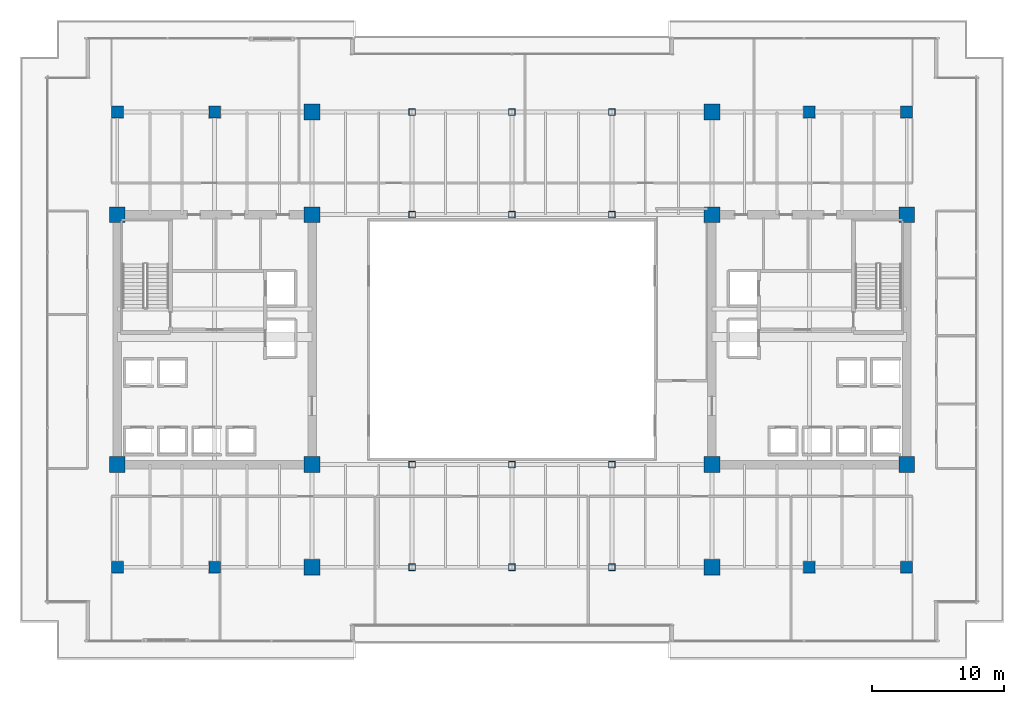
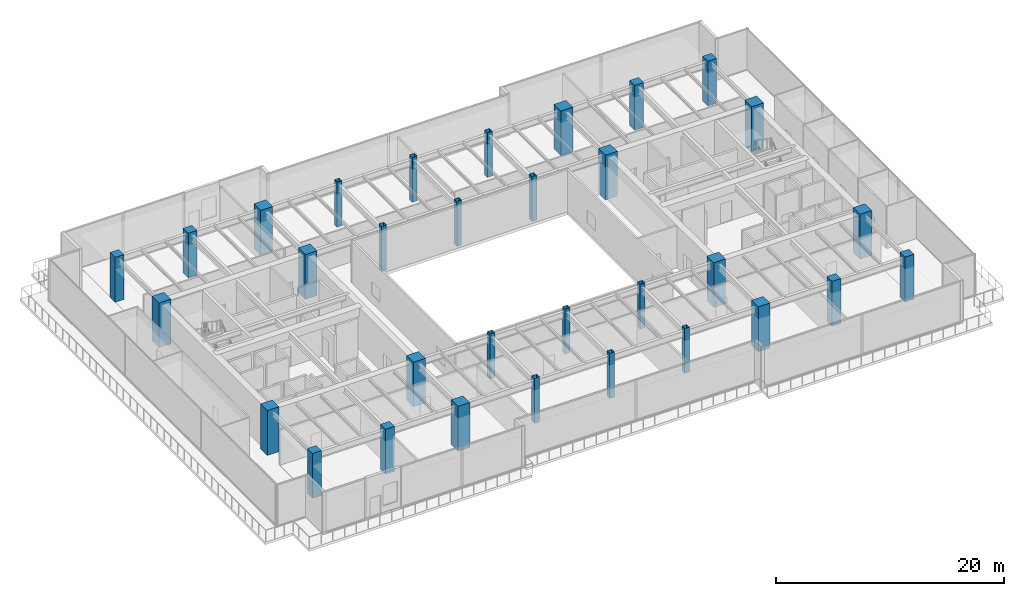
# One storey, part 1 of 33: 32 columns.
"""IFC4 building model written with IfcOpenShell, lengths in metres."""

from ifc_helpers import new_model, si_unit, direction, frame, origin, origin_2d, place, context, subcontext, project, spatial, rectangle, hollow_rectangle, extrude, source, transform, mapped, material, material_profile, profile_set, type_object, type_shapes, element, save


model = new_model("IFC4")

# Units and contexts
model_context = context("Model", 3, precision=1e-05, world=origin(), true_north=direction((0.0, 1.0)))
body_context = subcontext(model_context, "Body", "Model", "MODEL_VIEW")
ifc_project = project(units=[si_unit("LENGTHUNIT", "METRE"), si_unit("AREAUNIT", "SQUARE_METRE"), si_unit("VOLUMEUNIT", "CUBIC_METRE"), si_unit("PLANEANGLEUNIT", "RADIAN"), si_unit("MASSUNIT", "GRAM", prefix="KILO")], contexts=[model_context])

# Site, building, storey
site_placement = place(None, origin())
site = spatial("IfcSite", under=ifc_project, at=site_placement, CompositionType="ELEMENT")
building_placement = place(site_placement, origin())
building = spatial("IfcBuilding", under=site, at=building_placement, Name="Haelvirn Gate Laboratories", CompositionType="ELEMENT")
storey_placement = place(building_placement, frame((0.0, 0.0, 100.300048828125)))
storey = spatial("IfcBuildingStorey", under=building, at=storey_placement, Name="L24", CompositionType="ELEMENT", Elevation=100.300048828125)

# Columns
ifc_material_1 = material(Name="Concrete C50/60", Category="concrete")
ifc_material_profile_1 = material_profile(ifc_material_1, rectangle(XDim=0.89990234375, YDim=0.89990234375, at=origin_2d()), Name="RC-900x900")
ifc_profile_set_1 = profile_set([ifc_material_profile_1], Name="Concrete C50/60")
column_type_1 = type_object("IfcColumnType", Name="COL-RC-900", PredefinedType="COLUMN", material=ifc_profile_set_1)
shared_shape_1 = source(origin(), body_context, "Body", "SweptSolid", [
    extrude(rectangle(XDim=0.89990234375, YDim=0.89990234375, at=origin_2d()), origin(), (0.0, 0.0, 1.0), 4.800048828125),
])
type_shapes(column_type_1, [shared_shape_1])
for number, where, z_axis, x_axis, name in (
    (1, (14.800048828125, 7.0, 0.0), (0.0, 0.0, 1.0), (1.0, 0.0, 0.0), "L24 Column 3B"),
    (2, (14.800048828125, 41.60009765625, 0.0), (0.0, 0.0, 1.0), (1.0, 0.0, 0.0), "L24 Column 3G"),
    (3, (60.0, 7.0, 0.0), (0.0, 0.0, 1.0), (1.0, 0.0, 0.0), "L24 Column 9B"),
    (4, (60.0, 41.60009765625, 0.0), (0.0, 0.0, 1.0), (1.0, 0.0, 0.0), "L24 Column 9G"),
    (5, (7.39990234375, 7.0, 0.0), (0.0, 0.0, 1.0), (1.0, 0.0, 0.0), "L24 Column 2B"),
    (6, (7.39990234375, 41.60009765625, 0.0), (0.0, 0.0, 1.0), (1.0, 0.0, 0.0), "L24 Column 2G"),
    (7, (67.39990234375, 7.0, 0.0), (0.0, 0.0, 1.0), (1.0, 0.0, 0.0), "L24 Column 10B"),
    (8, (67.39990234375, 41.60009765625, 0.0), (0.0, 0.0, 1.0), (1.0, 0.0, 0.0), "L24 Column 10G"),
):
    element("IfcColumn", number, at=place(storey_placement, frame(where, z_axis=z_axis, x_axis=x_axis)), inside=storey, type_object=column_type_1, Name=name, PredefinedType="COLUMN", context=body_context, shape_type="MappedRepresentation", body=[
        mapped(shared_shape_1, transform((0.0, 0.0, 0.0), scale=1.0)),
    ])
ifc_material_2 = material(Name="Concrete C60/75", Category="concrete")
ifc_material_profile_2 = material_profile(ifc_material_2, rectangle(XDim=1.199951171875, YDim=1.199951171875, at=origin_2d()), Name="SRC-1200x1200")
ifc_profile_set_2 = profile_set([ifc_material_profile_2], Name="Concrete C60/75")
column_type_2 = type_object("IfcColumnType", Name="COL-SRC-1200", PredefinedType="COLUMN", material=ifc_profile_set_2)
shared_shape_2 = source(origin(), body_context, "Body", "SweptSolid", [
    extrude(rectangle(XDim=1.199951171875, YDim=1.199951171875, at=origin_2d()), origin(), (0.0, 0.0, 1.0), 4.800048828125),
])
type_shapes(column_type_2, [shared_shape_2])
for number, where, z_axis, x_axis, name in (
    (9, (22.199951171875, 7.0, 0.0), (0.0, 0.0, 1.0), (1.0, 0.0, 0.0), "L24 Column 4B"),
    (10, (7.39990234375, 14.800048828125, 0.0), (0.0, 0.0, 1.0), (1.0, 0.0, 0.0), "L24 Column 2C"),
    (11, (22.199951171875, 14.800048828125, 0.0), (0.0, 0.0, 1.0), (1.0, 0.0, 0.0), "L24 Column 4C"),
    (12, (7.39990234375, 33.800048828125, 0.0), (0.0, 0.0, 1.0), (1.0, 0.0, 0.0), "L24 Column 2F"),
    (13, (22.199951171875, 33.800048828125, 0.0), (0.0, 0.0, 1.0), (1.0, 0.0, 0.0), "L24 Column 4F"),
    (14, (22.199951171875, 41.60009765625, 0.0), (0.0, 0.0, 1.0), (1.0, 0.0, 0.0), "L24 Column 4G"),
    (15, (52.60009765625, 7.0, 0.0), (0.0, 0.0, 1.0), (1.0, 0.0, 0.0), "L24 Column 8B"),
    (16, (52.60009765625, 14.800048828125, 0.0), (0.0, 0.0, 1.0), (1.0, 0.0, 0.0), "L24 Column 8C"),
    (17, (67.39990234375, 14.800048828125, 0.0), (0.0, 0.0, 1.0), (1.0, 0.0, 0.0), "L24 Column 10C"),
    (18, (52.60009765625, 33.800048828125, 0.0), (0.0, 0.0, 1.0), (1.0, 0.0, 0.0), "L24 Column 8F"),
    (19, (67.39990234375, 33.800048828125, 0.0), (0.0, 0.0, 1.0), (1.0, 0.0, 0.0), "L24 Column 10F"),
    (20, (52.60009765625, 41.60009765625, 0.0), (0.0, 0.0, 1.0), (1.0, 0.0, 0.0), "L24 Column 8G"),
):
    element("IfcColumn", number, at=place(storey_placement, frame(where, z_axis=z_axis, x_axis=x_axis)), inside=storey, type_object=column_type_2, Name=name, PredefinedType="COLUMN", context=body_context, shape_type="MappedRepresentation", body=[
        mapped(shared_shape_2, transform((0.0, 0.0, 0.0), scale=1.0)),
    ])
ifc_material_3 = material(Name="Steel SM355", Category="steel")
ifc_material_profile_3 = material_profile(ifc_material_3, hollow_rectangle(XDim=0.5, YDim=0.5, WallThickness=0.02197265625, at=origin_2d()), Name="BOX-500x500x22")
ifc_profile_set_3 = profile_set([ifc_material_profile_3], Name="Steel SM355")
column_type_3 = type_object("IfcColumnType", Name="COL-BOX-500", PredefinedType="COLUMN", material=ifc_profile_set_3)
shared_shape_3 = source(origin(), body_context, "Body", "SweptSolid", [
    extrude(hollow_rectangle(XDim=0.5, YDim=0.5, WallThickness=0.02197265625, at=origin_2d()), origin(), (0.0, 0.0, 1.0), 4.800048828125),
])
type_shapes(column_type_3, [shared_shape_3])
for number, where, z_axis, x_axis, name in (
    (21, (29.800048828125, 7.0, 0.0), (0.0, 0.0, 1.0), (1.0, 0.0, 0.0), "L24 Column 5B"),
    (22, (29.800048828125, 14.800048828125, 0.0), (0.0, 0.0, 1.0), (1.0, 0.0, 0.0), "L24 Column 5C"),
    (23, (29.800048828125, 33.800048828125, 0.0), (0.0, 0.0, 1.0), (1.0, 0.0, 0.0), "L24 Column 5F"),
    (24, (29.800048828125, 41.60009765625, 0.0), (0.0, 0.0, 1.0), (1.0, 0.0, 0.0), "L24 Column 5G"),
    (25, (37.39990234375, 7.0, 0.0), (0.0, 0.0, 1.0), (1.0, 0.0, 0.0), "L24 Column 6B"),
    (26, (37.39990234375, 14.800048828125, 0.0), (0.0, 0.0, 1.0), (1.0, 0.0, 0.0), "L24 Column 6C"),
    (27, (37.39990234375, 33.800048828125, 0.0), (0.0, 0.0, 1.0), (1.0, 0.0, 0.0), "L24 Column 6F"),
    (28, (37.39990234375, 41.60009765625, 0.0), (0.0, 0.0, 1.0), (1.0, 0.0, 0.0), "L24 Column 6G"),
    (29, (45.0, 7.0, 0.0), (0.0, 0.0, 1.0), (1.0, 0.0, 0.0), "L24 Column 7B"),
    (30, (45.0, 14.800048828125, 0.0), (0.0, 0.0, 1.0), (1.0, 0.0, 0.0), "L24 Column 7C"),
    (31, (45.0, 33.800048828125, 0.0), (0.0, 0.0, 1.0), (1.0, 0.0, 0.0), "L24 Column 7F"),
    (32, (45.0, 41.60009765625, 0.0), (0.0, 0.0, 1.0), (1.0, 0.0, 0.0), "L24 Column 7G"),
):
    element("IfcColumn", number, at=place(storey_placement, frame(where, z_axis=z_axis, x_axis=x_axis)), inside=storey, type_object=column_type_3, Name=name, PredefinedType="COLUMN", context=body_context, shape_type="MappedRepresentation", body=[
        mapped(shared_shape_3, transform((0.0, 0.0, 0.0), scale=1.0)),
    ])

save(model, "model.ifc")
